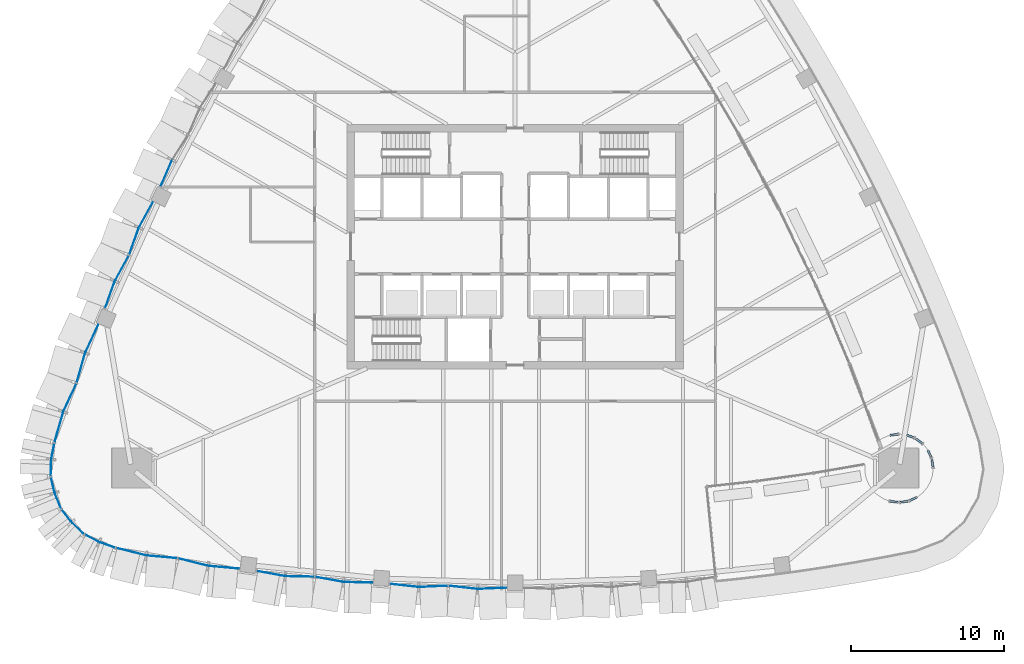
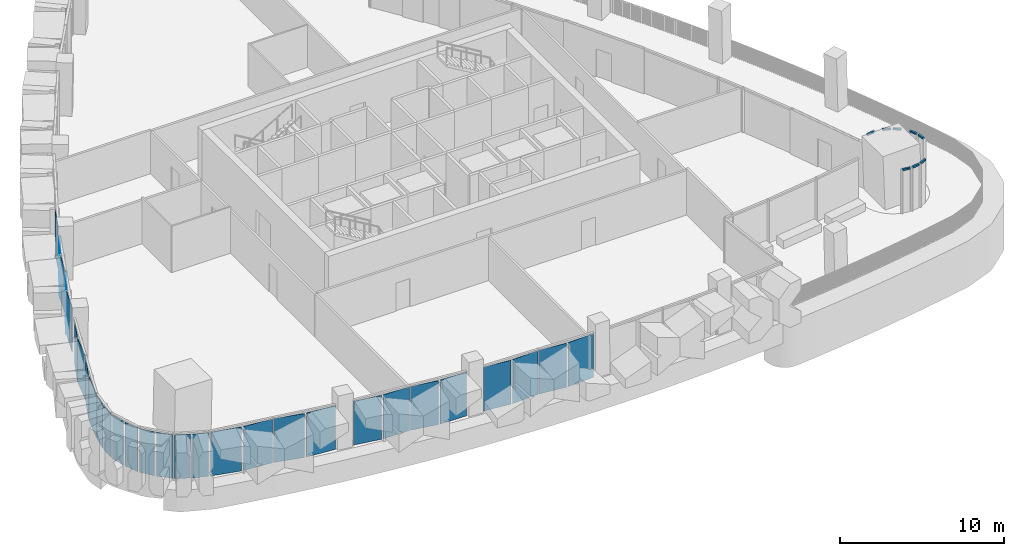
# One storey, part 8 of 20: 29 plates, 8 members, 18 elements without a shape of their own.
"""IFC4 building model written with IfcOpenShell, lengths in metres."""

from ifc_helpers import new_model, si_unit, direction, frame, origin, origin_2d, place, context, subcontext, project, spatial, polyline, rectangle, outline, extrude, material, layer, layer_set, material_profile, profile_set, type_object, element, aggregate, save


model = new_model("IFC4")

# Units and contexts
model_context = context("Model", 3, precision=1e-05, world=origin(), true_north=direction((0.0, 1.0)))
body_context = subcontext(model_context, "Body", "Model", "MODEL_VIEW")
ifc_project = project(units=[si_unit("LENGTHUNIT", "METRE"), si_unit("AREAUNIT", "SQUARE_METRE"), si_unit("VOLUMEUNIT", "CUBIC_METRE"), si_unit("PLANEANGLEUNIT", "RADIAN"), si_unit("MASSUNIT", "GRAM", prefix="KILO")], contexts=[model_context])

# Site, building, storey
site_placement = place(None, origin())
site = spatial("IfcSite", under=ifc_project, at=site_placement, CompositionType="ELEMENT")
building_placement = place(site_placement, origin())
building = spatial("IfcBuilding", under=site, at=building_placement, Name="Sierra Prisma Convention Tower", CompositionType="ELEMENT")
storey_placement = place(building_placement, frame((0.0, 0.0, 125.800048828125)))
storey = spatial("IfcBuildingStorey", under=building, at=storey_placement, Name="L26", CompositionType="ELEMENT", Elevation=125.800048828125)

# Curtain wall, member
ifc_material_1 = material(Name="Aluminium and glass curtain wall", Category="aluminium")
ifc_layer_1 = layer(ifc_material_1, 0.179931640625)
ifc_layer_set_1 = layer_set([ifc_layer_1], Name="CW-6 Terrace recess curtain wall")
curtain_wall_type_1 = type_object("IfcCurtainWallType", Name="CW-6 Terrace recess curtain wall", PredefinedType="NOTDEFINED", material=ifc_layer_set_1)
curtain_wall_1_placement = place(storey_placement, origin())
curtain_wall_1 = element("IfcCurtainWall", 1, at=curtain_wall_1_placement, inside=storey, type_object=curtain_wall_type_1, Name="CW-6 R11 L26", PredefinedType="NOTDEFINED")
ifc_material_2 = material(Name="Aluminium 6063-T6 bronze anodised", Category="aluminium")
ifc_material_profile = material_profile(ifc_material_2, rectangle(XDim=0.139892578125, YDim=0.1201171875, at=origin_2d()), Name="ALU TRANSOM 120x140")
ifc_profile_set = profile_set([ifc_material_profile], Name="Aluminium 6063-T6 bronze anodised")
member_type = type_object("IfcMemberType", Name="CW transom bronze", PredefinedType="USERDEFINED", material=ifc_profile_set)
member_1_placement = place(storey_placement, frame((24.51513671875, -16.641357421875, 3.280029296875), z_axis=(0.989160323746, -0.14683955164, 0.0), x_axis=(0.14683955164, 0.989160323746, 0.0)))
member_1 = element("IfcMember", 2, at=member_1_placement, type_object=member_type, Name="CW-6 transom R11.1", ObjectType="TRANSOM", PredefinedType="USERDEFINED", context=body_context, shape_type="SweptSolid", body=[
    extrude(rectangle(XDim=0.139892578125, YDim=0.1201171875, at=origin_2d()), origin(), (0.0, 0.0, 1.0), 0.51708984375),
])
aggregate(curtain_wall_1, [member_1])

curtain_wall_2_placement = place(storey_placement, origin())
curtain_wall_2 = element("IfcCurtainWall", 3, at=curtain_wall_2_placement, inside=storey, type_object=curtain_wall_type_1, Name="CW-6 R12 L26", PredefinedType="NOTDEFINED")
member_2_placement = place(storey_placement, frame((25.1650390625, -16.71728515625, 3.280029296875), z_axis=(0.989150136118, 0.146908162528, 0.0), x_axis=(-0.146908162528, 0.989150136118, 0.0)))
member_2 = element("IfcMember", 4, at=member_2_placement, type_object=member_type, Name="CW-6 transom R12.1", ObjectType="TRANSOM", PredefinedType="USERDEFINED", context=body_context, shape_type="SweptSolid", body=[
    extrude(rectangle(XDim=0.139892578125, YDim=0.1201171875, at=origin_2d()), origin(), (0.0, 0.0, 1.0), 0.516845703125),
])
aggregate(curtain_wall_2, [member_2])

curtain_wall_3_placement = place(storey_placement, origin())
curtain_wall_3 = element("IfcCurtainWall", 5, at=curtain_wall_3_placement, inside=storey, type_object=curtain_wall_type_1, Name="CW-6 R13 L26", PredefinedType="NOTDEFINED")
member_3_placement = place(storey_placement, frame((25.808837890625, -16.601318359375, 3.280029296875), z_axis=(0.903853193215, 0.427842734092, 0.0), x_axis=(-0.427842734092, 0.903853193215, 0.0)))
member_3 = element("IfcMember", 6, at=member_3_placement, type_object=member_type, Name="CW-6 transom R13.1", ObjectType="TRANSOM", PredefinedType="USERDEFINED", context=body_context, shape_type="SweptSolid", body=[
    extrude(rectangle(XDim=0.139892578125, YDim=0.1201171875, at=origin_2d()), origin(), (0.0, 0.0, 1.0), 0.51708984375),
])
aggregate(curtain_wall_3, [member_3])

curtain_wall_4_placement = place(storey_placement, origin())
curtain_wall_4 = element("IfcCurtainWall", 7, at=curtain_wall_4_placement, inside=storey, type_object=curtain_wall_type_1, Name="CW-6 R19 L26", PredefinedType="NOTDEFINED")
member_4_placement = place(storey_placement, frame((27.323974609375, -14.419921875, 3.280029296875), z_axis=(-0.14683955164, 0.989160323746, 0.0), x_axis=(-0.989160323746, -0.14683955164, 0.0)))
member_4 = element("IfcMember", 8, at=member_4_placement, type_object=member_type, Name="CW-6 transom R19.1", ObjectType="TRANSOM", PredefinedType="USERDEFINED", context=body_context, shape_type="SweptSolid", body=[
    extrude(rectangle(XDim=0.139892578125, YDim=0.1201171875, at=origin_2d()), origin(), (0.0, 0.0, 1.0), 0.51708984375),
])
aggregate(curtain_wall_4, [member_4])

curtain_wall_5_placement = place(storey_placement, origin())
curtain_wall_5 = element("IfcCurtainWall", 9, at=curtain_wall_5_placement, inside=storey, type_object=curtain_wall_type_1, Name="CW-6 R20 L26", PredefinedType="NOTDEFINED")
member_5_placement = place(storey_placement, frame((27.2080078125, -13.77587890625, 3.280029296875), z_axis=(-0.427456826475, 0.904035763396, 0.0), x_axis=(-0.904035763396, -0.427456826475, 0.0)))
member_5 = element("IfcMember", 10, at=member_5_placement, type_object=member_type, Name="CW-6 transom R20.1", ObjectType="TRANSOM", PredefinedType="USERDEFINED", context=body_context, shape_type="SweptSolid", body=[
    extrude(rectangle(XDim=0.139892578125, YDim=0.1201171875, at=origin_2d()), origin(), (0.0, 0.0, 1.0), 0.516845703125),
])
aggregate(curtain_wall_5, [member_5])

curtain_wall_6_placement = place(storey_placement, origin())
curtain_wall_6 = element("IfcCurtainWall", 11, at=curtain_wall_6_placement, inside=storey, type_object=curtain_wall_type_1, Name="CW-6 R22 L26", PredefinedType="NOTDEFINED")
member_6_placement = place(storey_placement, frame((26.622314453125, -12.864501953125, 3.280029296875), z_axis=(-0.803163658923, 0.595758455236, 0.0), x_axis=(-0.595758455236, -0.803163658923, 0.0)))
member_6 = element("IfcMember", 12, at=member_6_placement, type_object=member_type, Name="CW-6 transom R22.1", ObjectType="TRANSOM", PredefinedType="USERDEFINED", context=body_context, shape_type="SweptSolid", body=[
    extrude(rectangle(XDim=0.139892578125, YDim=0.1201171875, at=origin_2d()), origin(), (0.0, 0.0, 1.0), 0.516845703125),
])
aggregate(curtain_wall_6, [member_6])

curtain_wall_7_placement = place(storey_placement, origin())
curtain_wall_7 = element("IfcCurtainWall", 13, at=curtain_wall_7_placement, inside=storey, type_object=curtain_wall_type_1, Name="CW-6 R23 L26", PredefinedType="NOTDEFINED")
member_7_placement = place(storey_placement, frame((26.085205078125, -12.4912109375, 3.280029296875), z_axis=(-0.941613637705, 0.336695347886, 0.0), x_axis=(-0.336695347886, -0.941613637705, 0.0)))
member_7 = element("IfcMember", 14, at=member_7_placement, type_object=member_type, Name="CW-6 transom R23.1", ObjectType="TRANSOM", PredefinedType="USERDEFINED", context=body_context, shape_type="SweptSolid", body=[
    extrude(rectangle(XDim=0.139892578125, YDim=0.1201171875, at=origin_2d()), origin(), (0.0, 0.0, 1.0), 0.51708984375),
])
aggregate(curtain_wall_7, [member_7])

curtain_wall_8_placement = place(storey_placement, origin())
curtain_wall_8 = element("IfcCurtainWall", 15, at=curtain_wall_8_placement, inside=storey, type_object=curtain_wall_type_1, Name="CW-6 R25 L26", PredefinedType="NOTDEFINED")
member_8_placement = place(storey_placement, frame((25.026611328125, -12.2607421875, 3.280029296875), z_axis=(-0.989160323746, -0.14683955164, 0.0), x_axis=(0.14683955164, -0.989160323746, 0.0)))
member_8 = element("IfcMember", 16, at=member_8_placement, type_object=member_type, Name="CW-6 transom R25.1", ObjectType="TRANSOM", PredefinedType="USERDEFINED", context=body_context, shape_type="SweptSolid", body=[
    extrude(rectangle(XDim=0.139892578125, YDim=0.1201171875, at=origin_2d()), origin(), (0.0, 0.0, 1.0), 0.51708984375),
])
aggregate(curtain_wall_8, [member_8])

# Curtain wall, plate
ifc_material_3 = material(Name="Aluminium and glass curtain wall", Category="aluminium")
ifc_layer_2 = layer(ifc_material_3, 0.179931640625)
ifc_layer_set_2 = layer_set([ifc_layer_2], Name="CW-2 Faceted crystal curtain wall")
curtain_wall_type_2 = type_object("IfcCurtainWallType", Name="CW-2 Faceted crystal curtain wall", PredefinedType="NOTDEFINED", material=ifc_layer_set_2)
curtain_wall_9_placement = place(storey_placement, origin())
curtain_wall_9 = element("IfcCurtainWall", 17, at=curtain_wall_9_placement, inside=storey, type_object=curtain_wall_type_2, Name="CW-2 NW4 L26", PredefinedType="NOTDEFINED")
ifc_material_4 = material(Name="Tinted glass bronze-grey IGU", Category="glass")
ifc_layer_3 = layer(ifc_material_4, 0.028076171875)
ifc_layer_set_3 = layer_set([ifc_layer_3], Name="CW-2 crystal pane")
plate_type = type_object("IfcPlateType", Name="CW-2 crystal pane", PredefinedType="CURTAIN_PANEL", material=ifc_layer_set_3)
plate_1_placement = place(storey_placement, frame((-23.200439453125, 3.939453125, 0.0), z_axis=(-0.916445056167, 0.400160541566, 0.0), x_axis=(0.400160541566, 0.916445056167, 0.0)))
plate_1 = element("IfcPlate", 18, at=plate_1_placement, type_object=plate_type, Name="CW-2 pane NW4.2.2", PredefinedType="CURTAIN_PANEL", context=body_context, shape_type="SweptSolid", body=[
    extrude(outline(polyline([(0.0, 0.0), (1.8290998679833983, 0.0), (1.8290998679833983, -3.280029296875), (0.0, -3.280029296875), (0.0, 0.0)])), origin(), (0.0, 0.0, -1.0), 0.028076171875),
])
aggregate(curtain_wall_9, [plate_1])

# Curtain wall, plates
curtain_wall_10_placement = place(storey_placement, origin())
curtain_wall_10 = element("IfcCurtainWall", 19, at=curtain_wall_10_placement, inside=storey, type_object=curtain_wall_type_2, Name="CW-2 NW5 L26", PredefinedType="NOTDEFINED")
plate_2_placement = place(storey_placement, frame((-23.708740234375, 2.90576171875, 0.0), z_axis=(-0.876637318053, 0.481151756307, 0.0), x_axis=(-0.481151756307, -0.876637318053, 0.0)))
plate_2 = element("IfcPlate", 20, at=plate_2_placement, type_object=plate_type, Name="CW-2 pane NW5.1.1", PredefinedType="CURTAIN_PANEL", context=body_context, shape_type="SweptSolid", body=[
    extrude(outline(polyline([(0.0, 0.0), (1.821090106477697, 0.0), (1.821090106477697, 3.280029296875), (0.0, 3.280029296875), (0.0, 0.0)])), origin(), (0.0, 0.0, -1.0), 0.028076171875),
])
plate_3_placement = place(storey_placement, frame((-25.253662109375, -0.522705078125, 0.0), z_axis=(-0.941152030355, 0.337983514035, 0.0), x_axis=(0.337983514035, 0.941152030355, 0.0)))
plate_3 = element("IfcPlate", 21, at=plate_3_placement, type_object=plate_type, Name="CW-2 pane NW5.1.2", PredefinedType="CURTAIN_PANEL", context=body_context, shape_type="SweptSolid", body=[
    extrude(outline(polyline([(0.0, 0.0), (1.8210311747977062, 0.0), (1.8210311747977062, -3.280029296875), (0.0, -3.280029296875), (0.0, 0.0)])), origin(), (0.0, 0.0, -1.0), 0.028076171875),
])
plate_4_placement = place(storey_placement, frame((-25.2822265625, -0.586669921875, 0.0), z_axis=(-0.876693862786, 0.481048719938, 0.0), x_axis=(-0.481048719938, -0.876693862786, 0.0)))
plate_4 = element("IfcPlate", 22, at=plate_4_placement, type_object=plate_type, Name="CW-2 pane NW5.2.1", PredefinedType="CURTAIN_PANEL", context=body_context, shape_type="SweptSolid", body=[
    extrude(outline(polyline([(0.0, 0.0), (1.8209726503644683, 0.0), (1.8209726503644683, 3.280029296875), (0.0, 3.280029296875), (0.0, 0.0)])), origin(), (0.0, 0.0, -1.0), 0.028076171875),
])
plate_5_placement = place(storey_placement, frame((-26.826904296875, -4.01513671875, 0.0), z_axis=(-0.941194670762, 0.337864753607, 0.0), x_axis=(0.337864753607, 0.941194670762, 0.0)))
plate_5 = element("IfcPlate", 23, at=plate_5_placement, type_object=plate_type, Name="CW-2 pane NW5.2.2", PredefinedType="CURTAIN_PANEL", context=body_context, shape_type="SweptSolid", body=[
    extrude(outline(polyline([(0.0, 0.0), (1.820948673788144, 0.0), (1.820948673788144, -3.280029296875), (0.0, -3.280029296875), (0.0, 0.0)])), origin(), (0.0, 0.0, -1.0), 0.028076171875),
])
aggregate(curtain_wall_10, [plate_2, plate_3, plate_4, plate_5])

curtain_wall_11_placement = place(storey_placement, origin())
curtain_wall_11 = element("IfcCurtainWall", 24, at=curtain_wall_11_placement, inside=storey, type_object=curtain_wall_type_2, Name="CW-2 NW6 L26", PredefinedType="NOTDEFINED")
plate_6_placement = place(storey_placement, frame((-27.278564453125, -5.10986328125, 0.0), z_axis=(-0.906879636523, 0.421389754099, 0.0), x_axis=(-0.421389754099, -0.906879636523, 0.0)))
plate_6 = element("IfcPlate", 25, at=plate_6_placement, type_object=plate_type, Name="CW-2 pane NW6.1.1", PredefinedType="CURTAIN_PANEL", context=body_context, shape_type="SweptSolid", body=[
    extrude(outline(polyline([(0.0, 0.0), (1.9576915761467195, 0.0), (1.9576915761467195, 3.280029296875001), (0.0, 3.280029296875001), (0.0, 0.0)])), origin(), (0.0, 0.0, -1.0), 0.028076171875),
])
plate_7_placement = place(storey_placement, frame((-28.685791015625, -8.88916015625, 0.0), z_axis=(-0.961627410964, 0.274358747779, 0.0), x_axis=(0.274358747779, 0.961627410964, 0.0)))
plate_7 = element("IfcPlate", 26, at=plate_7_placement, type_object=plate_type, Name="CW-2 pane NW6.1.2", PredefinedType="CURTAIN_PANEL", context=body_context, shape_type="SweptSolid", body=[
    extrude(outline(polyline([(0.0, 0.0), (1.957689992933705, 0.0), (1.957689992933705, -3.280029296875001), (0.0, -3.280029296875001), (0.0, 0.0)])), origin(), (0.0, 0.0, -1.0), 0.028076171875),
])
plate_8_placement = place(storey_placement, frame((-28.710205078125, -8.954833984375, 0.0), z_axis=(-0.906879636523, 0.421389754099, 0.0), x_axis=(-0.421389754099, -0.906879636523, 0.0)))
plate_8 = element("IfcPlate", 27, at=plate_8_placement, type_object=plate_type, Name="CW-2 pane NW6.2.1", PredefinedType="CURTAIN_PANEL", context=body_context, shape_type="SweptSolid", body=[
    extrude(outline(polyline([(0.0, 0.0), (1.9576915761467195, 0.0), (1.9576915761467195, 3.280029296875001), (0.0, 3.280029296875001), (0.0, 0.0)])), origin(), (0.0, 0.0, -1.0), 0.028076171875),
])
plate_9_placement = place(storey_placement, frame((-30.11767578125, -12.734130859375, 0.0), z_axis=(-0.961627410964, 0.274358747779, 0.0), x_axis=(0.274358747779, 0.961627410964, 0.0)))
plate_9 = element("IfcPlate", 28, at=plate_9_placement, type_object=plate_type, Name="CW-2 pane NW6.2.2", PredefinedType="CURTAIN_PANEL", context=body_context, shape_type="SweptSolid", body=[
    extrude(outline(polyline([(0.0, 0.0), (1.957689992933705, 0.0), (1.957689992933705, -3.280029296875001), (0.0, -3.280029296875001), (0.0, 0.0)])), origin(), (0.0, 0.0, -1.0), 0.028076171875),
])
aggregate(curtain_wall_11, [plate_6, plate_7, plate_8, plate_9])

curtain_wall_12_placement = place(storey_placement, origin())
curtain_wall_12 = element("IfcCurtainWall", 29, at=curtain_wall_12_placement, inside=storey, type_object=curtain_wall_type_2, Name="CW-2 SW1 L26", PredefinedType="NOTDEFINED")
plate_10_placement = place(storey_placement, frame((-30.149658203125, -12.869384765625, 0.0), z_axis=(-0.982001149679, 0.188874937536, 0.0), x_axis=(-0.188874937536, -0.982001149679, 0.0)))
plate_10 = element("IfcPlate", 30, at=plate_10_placement, type_object=plate_type, Name="CW-2 pane SW1.1.1", PredefinedType="CURTAIN_PANEL", context=body_context, shape_type="SweptSolid", body=[
    extrude(outline(polyline([(0.0, 0.0), (0.9862573579385615, 0.0), (0.9862573579385615, 3.280029296875), (0.0, 3.280029296875), (0.0, 0.0)])), origin(), (0.0, 0.0, -1.0), 0.028076171875),
])
plate_11_placement = place(storey_placement, frame((-30.3828125, -14.9521484375, 0.0), z_axis=(-0.999457746419, 0.032927391695, 0.0), x_axis=(0.032927391695, 0.999457746419, 0.0)))
plate_11 = element("IfcPlate", 31, at=plate_11_placement, type_object=plate_type, Name="CW-2 pane SW1.1.2", PredefinedType="CURTAIN_PANEL", context=body_context, shape_type="SweptSolid", body=[
    extrude(outline(polyline([(0.0, 0.0), (0.9861304358855856, 0.0), (0.9861304358855856, -3.280029296875), (0.0, -3.280029296875), (0.0, 0.0)])), origin(), (0.0, 0.0, -1.0), 0.028076171875),
])
aggregate(curtain_wall_12, [plate_10, plate_11])

curtain_wall_13_placement = place(storey_placement, origin())
curtain_wall_13 = element("IfcCurtainWall", 32, at=curtain_wall_13_placement, inside=storey, type_object=curtain_wall_type_2, Name="CW-2 SW2 L26", PredefinedType="NOTDEFINED")
plate_12_placement = place(storey_placement, frame((-30.368896484375, -15.08837890625, 0.0), z_axis=(-0.972901754928, -0.231218890357, 0.0), x_axis=(0.231218890357, -0.972901754928, 0.0)))
plate_12 = element("IfcPlate", 33, at=plate_12_placement, type_object=plate_type, Name="CW-2 pane SW2.1.1", PredefinedType="CURTAIN_PANEL", context=body_context, shape_type="SweptSolid", body=[
    extrude(outline(polyline([(0.0, 0.0), (0.986196860464031, 0.0), (0.986196860464031, 3.280029296875), (0.0, 3.280029296875), (0.0, 0.0)])), origin(), (0.0, 0.0, -1.0), 0.028076171875),
])
plate_13_placement = place(storey_placement, frame((-29.725830078125, -17.083251953125, 0.0), z_axis=(-0.924795963483, -0.380463435726, 0.0), x_axis=(-0.380463435726, 0.924795963483, 0.0)))
plate_13 = element("IfcPlate", 34, at=plate_13_placement, type_object=plate_type, Name="CW-2 pane SW2.1.2", PredefinedType="CURTAIN_PANEL", context=body_context, shape_type="SweptSolid", body=[
    extrude(outline(polyline([(0.0, 0.0), (0.9862817432337908, 0.0), (0.9862817432337908, -3.280029296875), (0.0, -3.280029296875), (0.0, 0.0)])), origin(), (0.0, 0.0, -1.0), 0.028076171875),
])
aggregate(curtain_wall_13, [plate_12, plate_13])

curtain_wall_14_placement = place(storey_placement, origin())
curtain_wall_14 = element("IfcCurtainWall", 35, at=curtain_wall_14_placement, inside=storey, type_object=curtain_wall_type_2, Name="CW-2 SW3 L26", PredefinedType="NOTDEFINED")
plate_14_placement = place(storey_placement, frame((-29.6572265625, -17.20166015625, 0.0), z_axis=(-0.791997727203, -0.610524037287, 0.0), x_axis=(0.610524037287, -0.791997727203, 0.0)))
plate_14 = element("IfcPlate", 36, at=plate_14_placement, type_object=plate_type, Name="CW-2 pane SW3.1.1", PredefinedType="CURTAIN_PANEL", context=body_context, shape_type="SweptSolid", body=[
    extrude(outline(polyline([(0.0, 0.0), (0.9861213391778001, 0.0), (0.9861213391778001, 3.280029296875), (0.0, 3.280029296875), (0.0, 0.0)])), origin(), (0.0, 0.0, -1.0), 0.028076171875),
])
plate_15_placement = place(storey_placement, frame((-28.25146484375, -18.756103515625, 0.0), z_axis=(-0.686768913137, -0.726875821546, 0.0), x_axis=(-0.726875821546, 0.686768913137, 0.0)))
plate_15 = element("IfcPlate", 37, at=plate_15_placement, type_object=plate_type, Name="CW-2 pane SW3.1.2", PredefinedType="CURTAIN_PANEL", context=body_context, shape_type="SweptSolid", body=[
    extrude(outline(polyline([(0.0, 0.0), (0.9861338811284194, 0.0), (0.9861338811284194, -3.280029296875), (0.0, -3.280029296875), (0.0, 0.0)])), origin(), (0.0, 0.0, -1.0), 0.028076171875),
])
aggregate(curtain_wall_14, [plate_14, plate_15])

curtain_wall_15_placement = place(storey_placement, origin())
curtain_wall_15 = element("IfcCurtainWall", 38, at=curtain_wall_15_placement, inside=storey, type_object=curtain_wall_type_2, Name="CW-2 SW4 L26", PredefinedType="NOTDEFINED")
plate_16_placement = place(storey_placement, frame((-28.140380859375, -18.836181640625, 0.0), z_axis=(-0.471114975223, -0.882071811204, 0.0), x_axis=(0.882071811204, -0.471114975223, 0.0)))
plate_16 = element("IfcPlate", 39, at=plate_16_placement, type_object=plate_type, Name="CW-2 pane SW4.1.1", PredefinedType="CURTAIN_PANEL", context=body_context, shape_type="SweptSolid", body=[
    extrude(outline(polyline([(0.0, 0.0), (0.9861703274338559, 0.0), (0.9861703274338559, 3.280029296875), (0.0, 3.280029296875), (0.0, 0.0)])), origin(), (0.0, 0.0, -1.0), 0.028076171875),
])
plate_17_placement = place(storey_placement, frame((-26.22021484375, -19.67578125, 0.0), z_axis=(-0.327569739302, -0.944827003156, 0.0), x_axis=(-0.944827003156, 0.327569739302, 0.0)))
plate_17 = element("IfcPlate", 40, at=plate_17_placement, type_object=plate_type, Name="CW-2 pane SW4.1.2", PredefinedType="CURTAIN_PANEL", context=body_context, shape_type="SweptSolid", body=[
    extrude(outline(polyline([(0.0, 0.0), (0.9860436057474616, 0.0), (0.9860436057474616, -3.280029296875), (0.0, -3.280029296875), (0.0, 0.0)])), origin(), (0.0, 0.0, -1.0), 0.028076171875),
])
aggregate(curtain_wall_15, [plate_16, plate_17])

curtain_wall_16_placement = place(storey_placement, origin())
curtain_wall_16 = element("IfcCurtainWall", 41, at=curtain_wall_16_placement, inside=storey, type_object=curtain_wall_type_2, Name="CW-2 S1 L26", PredefinedType="NOTDEFINED")
plate_18_placement = place(storey_placement, frame((-26.0869140625, -19.715576171875, 0.0), z_axis=(-0.243181120016, -0.969980898197, 0.0), x_axis=(0.969980898197, -0.243181120016, 0.0)))
plate_18 = element("IfcPlate", 42, at=plate_18_placement, type_object=plate_type, Name="CW-2 pane S1.1.1", PredefinedType="CURTAIN_PANEL", context=body_context, shape_type="SweptSolid", body=[
    extrude(outline(polyline([(0.0, 0.0), (1.957693996633372, 0.0), (1.957693996633372, 3.280029296875), (0.0, 3.280029296875), (0.0, 0.0)])), origin(), (0.0, 0.0, -1.0), 0.028076171875),
])
plate_19_placement = place(storey_placement, frame((-22.1103515625, -20.386474609375, 0.0), z_axis=(-0.088545289572, -0.996072151852, 0.0), x_axis=(-0.996072151852, 0.088545289572, 0.0)))
plate_19 = element("IfcPlate", 43, at=plate_19_placement, type_object=plate_type, Name="CW-2 pane S1.1.2", PredefinedType="CURTAIN_PANEL", context=body_context, shape_type="SweptSolid", body=[
    extrude(outline(polyline([(0.0, 0.0), (1.9576404864346162, 0.0), (1.9576404864346162, -3.280029296875001), (0.0, -3.280029296875001), (0.0, 0.0)])), origin(), (0.0, 0.0, -1.0), 0.028076171875),
])
plate_20_placement = place(storey_placement, frame((-22.041259765625, -20.39794921875, 0.0), z_axis=(-0.243298448065, -0.969951475678, 0.0), x_axis=(0.969951475678, -0.243298448065, 0.0)))
plate_20 = element("IfcPlate", 44, at=plate_20_placement, type_object=plate_type, Name="CW-2 pane S1.2.1", PredefinedType="CURTAIN_PANEL", context=body_context, shape_type="SweptSolid", body=[
    extrude(outline(polyline([(0.0, 0.0), (1.9577533813464898, 0.0), (1.9577533813464898, 3.280029296875), (0.0, 3.280029296875), (0.0, 0.0)])), origin(), (0.0, 0.0, -1.0), 0.028076171875),
])
plate_21_placement = place(storey_placement, frame((-18.064697265625, -21.069091796875, 0.0), z_axis=(-0.088545289572, -0.996072151852, 0.0), x_axis=(-0.996072151852, 0.088545289572, 0.0)))
plate_21 = element("IfcPlate", 45, at=plate_21_placement, type_object=plate_type, Name="CW-2 pane S1.2.2", PredefinedType="CURTAIN_PANEL", context=body_context, shape_type="SweptSolid", body=[
    extrude(outline(polyline([(0.0, 0.0), (1.9576404864346162, 0.0), (1.9576404864346162, -3.280029296875001), (0.0, -3.280029296875001), (0.0, 0.0)])), origin(), (0.0, 0.0, -1.0), 0.028076171875),
])
aggregate(curtain_wall_16, [plate_18, plate_19, plate_20, plate_21])

curtain_wall_17_placement = place(storey_placement, origin())
curtain_wall_17 = element("IfcCurtainWall", 46, at=curtain_wall_17_placement, inside=storey, type_object=curtain_wall_type_2, Name="CW-2 S2 L26", PredefinedType="NOTDEFINED")
plate_22_placement = place(storey_placement, frame((-16.890625, -21.225341796875, 0.0), z_axis=(-0.177906128528, -0.984047462998, 0.0), x_axis=(0.984047462998, -0.177906128528, 0.0)))
plate_22 = element("IfcPlate", 47, at=plate_22_placement, type_object=plate_type, Name="CW-2 pane S2.1.1", PredefinedType="CURTAIN_PANEL", context=body_context, shape_type="SweptSolid", body=[
    extrude(outline(polyline([(0.0, 0.0), (1.821042434316323, 0.0), (1.821042434316323, 3.280029296875001), (0.0, 3.280029296875001), (0.0, 0.0)])), origin(), (0.0, 0.0, -1.0), 0.028076171875),
])
plate_23_placement = place(storey_placement, frame((-13.149169921875, -21.601806640625, 0.0), z_axis=(-0.021719429405, -0.99976410537, 0.0), x_axis=(-0.99976410537, 0.021719429405, 0.0)))
plate_23 = element("IfcPlate", 48, at=plate_23_placement, type_object=plate_type, Name="CW-2 pane S2.1.2", PredefinedType="CURTAIN_PANEL", context=body_context, shape_type="SweptSolid", body=[
    extrude(outline(polyline([(0.0, 0.0), (1.8209862014911784, 0.0), (1.8209862014911784, -3.280029296875001), (0.0, -3.280029296875001), (0.0, 0.0)])), origin(), (0.0, 0.0, -1.0), 0.028076171875),
])
plate_24_placement = place(storey_placement, frame((-13.07958984375, -21.60888671875, 0.0), z_axis=(-0.177906128528, -0.984047462998, 0.0), x_axis=(0.984047462998, -0.177906128528, 0.0)))
plate_24 = element("IfcPlate", 49, at=plate_24_placement, type_object=plate_type, Name="CW-2 pane S2.2.1", PredefinedType="CURTAIN_PANEL", context=body_context, shape_type="SweptSolid", body=[
    extrude(outline(polyline([(0.0, 0.0), (1.821042434316323, 0.0), (1.821042434316323, 3.280029296875001), (0.0, 3.280029296875001), (0.0, 0.0)])), origin(), (0.0, 0.0, -1.0), 0.028076171875),
])
plate_25_placement = place(storey_placement, frame((-9.337890625, -21.9853515625, 0.0), z_axis=(-0.021716518546, -0.999764168603, 0.0), x_axis=(-0.999764168603, 0.021716518546, 0.0)))
plate_25 = element("IfcPlate", 50, at=plate_25_placement, type_object=plate_type, Name="CW-2 pane S2.2.2", PredefinedType="CURTAIN_PANEL", context=body_context, shape_type="SweptSolid", body=[
    extrude(outline(polyline([(0.0, 0.0), (1.8212302845324355, 0.0), (1.8212302845324355, -3.280029296875), (0.0, -3.280029296875), (0.0, 0.0)])), origin(), (0.0, 0.0, -1.0), 0.028076171875),
])
aggregate(curtain_wall_17, [plate_22, plate_23, plate_24, plate_25])

curtain_wall_18_placement = place(storey_placement, origin())
curtain_wall_18 = element("IfcCurtainWall", 51, at=curtain_wall_18_placement, inside=storey, type_object=curtain_wall_type_2, Name="CW-2 S3 L26", PredefinedType="NOTDEFINED")
plate_26_placement = place(storey_placement, frame((-8.1884765625, -22.061767578125, 0.0), z_axis=(-0.111852438564, -0.993724827096, 0.0), x_axis=(0.993724827096, -0.111852438564, 0.0)))
plate_26 = element("IfcPlate", 52, at=plate_26_placement, type_object=plate_type, Name="CW-2 pane S3.1.1", PredefinedType="CURTAIN_PANEL", context=body_context, shape_type="SweptSolid", body=[
    extrude(outline(polyline([(0.0, 0.0), (1.8291049026483202, 0.0), (1.8291049026483202, 3.280029296875), (0.0, 3.280029296875), (0.0, 0.0)])), origin(), (0.0, 0.0, -1.0), 0.028076171875),
])
plate_27_placement = place(storey_placement, frame((-4.4140625, -22.18798828125, 0.0), z_axis=(0.04511702532, -0.998981708554, 0.0), x_axis=(-0.998981708554, -0.04511702532, 0.0)))
plate_27 = element("IfcPlate", 53, at=plate_27_placement, type_object=plate_type, Name="CW-2 pane S3.1.2", PredefinedType="CURTAIN_PANEL", context=body_context, shape_type="SweptSolid", body=[
    extrude(outline(polyline([(0.0, 0.0), (1.829010903657059, 0.0), (1.829010903657059, -3.280029296875), (0.0, -3.280029296875), (0.0, 0.0)])), origin(), (0.0, 0.0, -1.0), 0.028076171875),
])
plate_28_placement = place(storey_placement, frame((-4.343994140625, -22.1904296875, 0.0), z_axis=(-0.111720630057, -0.993739654447, 0.0), x_axis=(0.993739654447, -0.111720630057, 0.0)))
plate_28 = element("IfcPlate", 54, at=plate_28_placement, type_object=plate_type, Name="CW-2 pane S3.2.1", PredefinedType="CURTAIN_PANEL", context=body_context, shape_type="SweptSolid", body=[
    extrude(outline(polyline([(0.0, 0.0), (1.829077611013847, 0.0), (1.829077611013847, 3.280029296875), (0.0, 3.280029296875), (0.0, 0.0)])), origin(), (0.0, 0.0, -1.0), 0.028076171875),
])
plate_29_placement = place(storey_placement, frame((-0.569580078125, -22.316650390625, 0.0), z_axis=(0.045111009928, -0.998981980209, 0.0), x_axis=(-0.998981980209, -0.045111009928, 0.0)))
plate_29 = element("IfcPlate", 55, at=plate_29_placement, type_object=plate_type, Name="CW-2 pane S3.2.2", PredefinedType="CURTAIN_PANEL", context=body_context, shape_type="SweptSolid", body=[
    extrude(outline(polyline([(0.0, 0.0), (1.8292547957089123, 0.0), (1.8292547957089123, -3.280029296875), (0.0, -3.280029296875), (0.0, 0.0)])), origin(), (0.0, 0.0, -1.0), 0.028076171875),
])
aggregate(curtain_wall_18, [plate_26, plate_27, plate_28, plate_29])

save(model, "model.ifc")
